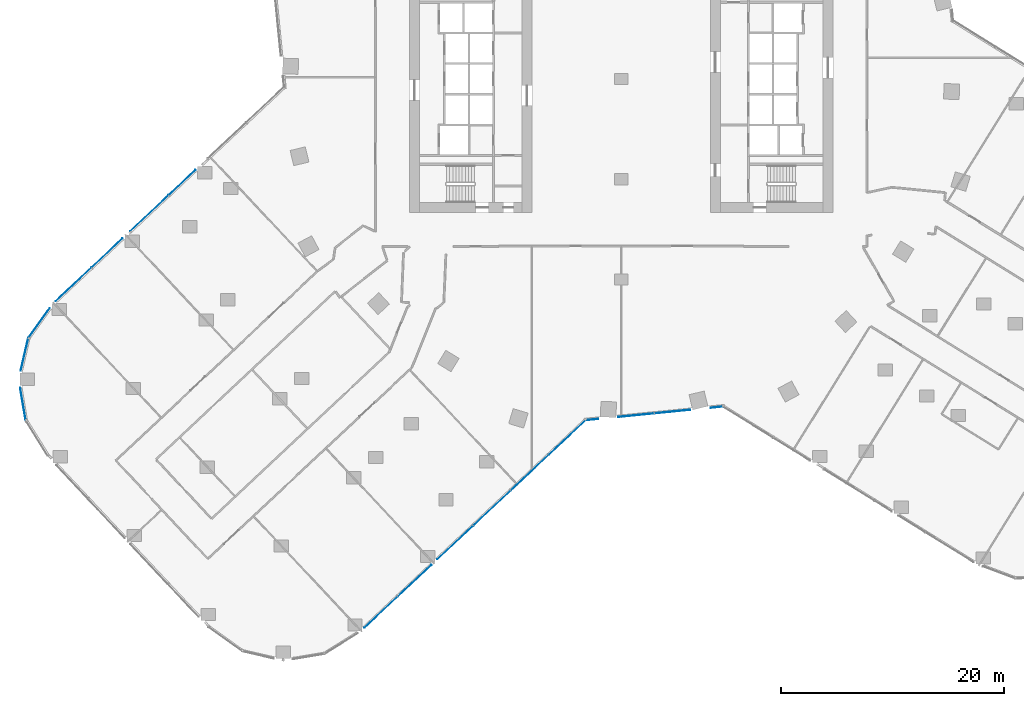
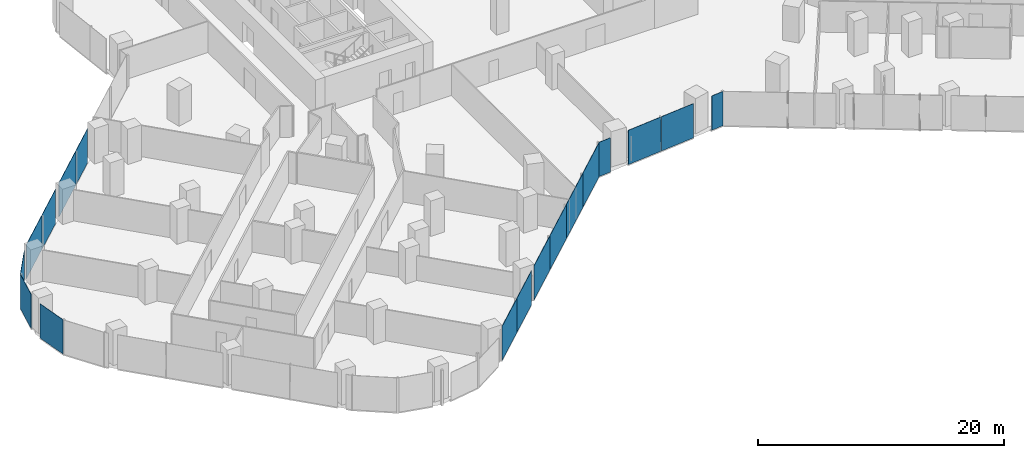
# One storey, part 18 of 33: 17 plates, 6 elements without a shape of their own.
"""IFC4 building model written with IfcOpenShell, lengths in metres."""

from ifc_helpers import new_model, si_unit, direction, frame, origin, origin_2d, place, context, subcontext, project, spatial, rectangle, extrude, material, layer, layer_set, type_object, element, aggregate, save


model = new_model("IFC4")

# Units and contexts
model_context = context("Model", 3, precision=1e-05, world=origin(), true_north=direction((0.0, 1.0)))
body_context = subcontext(model_context, "Body", "Model", "MODEL_VIEW")
ifc_project = project(units=[si_unit("LENGTHUNIT", "METRE"), si_unit("AREAUNIT", "SQUARE_METRE"), si_unit("VOLUMEUNIT", "CUBIC_METRE"), si_unit("PLANEANGLEUNIT", "RADIAN"), si_unit("MASSUNIT", "GRAM", prefix="KILO")], contexts=[model_context])

# Site, building, storey
site_placement = place(None, origin())
site = spatial("IfcSite", under=ifc_project, at=site_placement, CompositionType="ELEMENT")
building_placement = place(site_placement, origin())
building = spatial("IfcBuilding", under=site, at=building_placement, Name="Orlundy Tower", CompositionType="ELEMENT")
storey_placement = place(building_placement, frame((0.0, 0.0, 51.300048828125)))
storey = spatial("IfcBuildingStorey", under=building, at=storey_placement, Name="L11", CompositionType="ELEMENT", Elevation=51.300048828125)

# Curtain wall, plates
ifc_material_1 = material(Name="Aluminium bronze anodised", Category="aluminium")
curtain_wall_type = type_object("IfcCurtainWallType", Name="CW1 wall", PredefinedType="NOTDEFINED", material=ifc_material_1)
curtain_wall_1_placement = place(storey_placement, origin())
curtain_wall_1 = element("IfcCurtainWall", 1, at=curtain_wall_1_placement, inside=storey, type_object=curtain_wall_type, Name="CW1 run 00", PredefinedType="NOTDEFINED")
ifc_material_2 = material(Name="Tinted glass", Category="glass")
ifc_layer = layer(ifc_material_2, 0.031982421875)
ifc_layer_set = layer_set([ifc_layer], Name="CW1 glass panel 32")
plate_type = type_object("IfcPlateType", Name="CW1 glass panel 32", PredefinedType="CURTAIN_PANEL", material=ifc_layer_set)
plate_1_placement = place(storey_placement, frame((-49.14013671875, -18.446044921875, -0.300048828125), z_axis=(0.0, 0.0, 1.0), x_axis=(0.729351371178, 0.684139296752, 0.0)))
plate_1 = element("IfcPlate", 2, at=plate_1_placement, type_object=plate_type, Name="CW1 panel", PredefinedType="CURTAIN_PANEL", context=body_context, shape_type="SweptSolid", body=[
    extrude(rectangle(XDim=4.3818359375, YDim=0.031982421875, at=origin_2d()), origin(), (0.0, 0.0, 1.0), 3.39990234375),
])
plate_2_placement = place(storey_placement, frame((-46.118408203125, -15.611572265625, -0.300048828125), z_axis=(0.0, 0.0, 1.0), x_axis=(0.729351371178, 0.684139296752, 0.0)))
plate_2 = element("IfcPlate", 3, at=plate_2_placement, type_object=plate_type, Name="CW1 panel", PredefinedType="CURTAIN_PANEL", context=body_context, shape_type="SweptSolid", body=[
    extrude(rectangle(XDim=3.80419921875, YDim=0.031982421875, at=origin_2d()), origin(), (0.0, 0.0, 1.0), 3.39990234375),
])
plate_3_placement = place(storey_placement, frame((-42.3212890625, -12.050048828125, -0.300048828125), z_axis=(0.0, 0.0, 1.0), x_axis=(0.729351371178, 0.684139296752, 0.0)))
plate_3 = element("IfcPlate", 4, at=plate_3_placement, type_object=plate_type, Name="CW1 panel", PredefinedType="CURTAIN_PANEL", context=body_context, shape_type="SweptSolid", body=[
    extrude(rectangle(XDim=4.705322265625, YDim=0.031982421875, at=origin_2d()), origin(), (0.0, 0.0, 1.0), 3.39990234375),
])
plate_4_placement = place(storey_placement, frame((-39.3798828125, -9.291015625, -0.300048828125), z_axis=(0.0, 0.0, 1.0), x_axis=(0.729351371178, 0.684139296752, 0.0)))
plate_4 = element("IfcPlate", 5, at=plate_4_placement, type_object=plate_type, Name="CW1 panel", PredefinedType="CURTAIN_PANEL", context=body_context, shape_type="SweptSolid", body=[
    extrude(rectangle(XDim=3.260498046875, YDim=0.031982421875, at=origin_2d()), origin(), (0.0, 0.0, 1.0), 3.39990234375),
])
aggregate(curtain_wall_1, [plate_1, plate_2, plate_3, plate_4])

curtain_wall_2_placement = place(storey_placement, origin())
curtain_wall_2 = element("IfcCurtainWall", 6, at=curtain_wall_2_placement, inside=storey, type_object=curtain_wall_type, Name="CW1 run 017", PredefinedType="NOTDEFINED")
plate_5_placement = place(storey_placement, frame((8.5810546875, -29.460693359375, -0.300048828125), z_axis=(0.0, 0.0, 1.0), x_axis=(-0.995112236774, -0.098750373279, 0.0)))
plate_5 = element("IfcPlate", 7, at=plate_5_placement, type_object=plate_type, Name="CW1 panel", PredefinedType="CURTAIN_PANEL", context=body_context, shape_type="SweptSolid", body=[
    extrude(rectangle(XDim=1.11474609375, YDim=0.031982421875, at=origin_2d()), origin(), (0.0, 0.0, 1.0), 3.39990234375),
])
plate_6_placement = place(storey_placement, frame((4.61083984375, -29.854736328125, -0.300048828125), z_axis=(0.0, 0.0, 1.0), x_axis=(-0.995112236774, -0.098750373279, 0.0)))
plate_6 = element("IfcPlate", 8, at=plate_6_placement, type_object=plate_type, Name="CW1 panel", PredefinedType="CURTAIN_PANEL", context=body_context, shape_type="SweptSolid", body=[
    extrude(rectangle(XDim=3.23046875, YDim=0.031982421875, at=origin_2d()), origin(), (0.0, 0.0, 1.0), 3.39990234375),
])
plate_7_placement = place(storey_placement, frame((1.34619140625, -30.1787109375, -0.300048828125), z_axis=(0.0, 0.0, 1.0), x_axis=(-0.995112236774, -0.098750373279, 0.0)))
plate_7 = element("IfcPlate", 9, at=plate_7_placement, type_object=plate_type, Name="CW1 panel", PredefinedType="CURTAIN_PANEL", context=body_context, shape_type="SweptSolid", body=[
    extrude(rectangle(XDim=3.23095703125, YDim=0.031982421875, at=origin_2d()), origin(), (0.0, 0.0, 1.0), 3.39990234375),
])
plate_8_placement = place(storey_placement, frame((-2.6240234375, -30.57275390625, -0.300048828125), z_axis=(0.0, 0.0, 1.0), x_axis=(-0.995112236774, -0.098750373279, 0.0)))
plate_8 = element("IfcPlate", 10, at=plate_8_placement, type_object=plate_type, Name="CW1 panel", PredefinedType="CURTAIN_PANEL", context=body_context, shape_type="SweptSolid", body=[
    extrude(rectangle(XDim=1.1142578125, YDim=0.031982421875, at=origin_2d()), origin(), (0.0, 0.0, 1.0), 3.39990234375),
])
aggregate(curtain_wall_2, [plate_5, plate_6, plate_7, plate_8])

curtain_wall_3_placement = place(storey_placement, origin())
curtain_wall_3 = element("IfcCurtainWall", 11, at=curtain_wall_3_placement, inside=storey, type_object=curtain_wall_type, Name="CW1 run 018", PredefinedType="NOTDEFINED")
plate_9_placement = place(storey_placement, frame((-4.837646484375, -32.18408203125, -0.300048828125), z_axis=(0.0, 0.0, 1.0), x_axis=(-0.729365455086, -0.684124281784, 0.0)))
plate_9 = element("IfcPlate", 12, at=plate_9_placement, type_object=plate_type, Name="CW1 panel", PredefinedType="CURTAIN_PANEL", context=body_context, shape_type="SweptSolid", body=[
    extrude(rectangle(XDim=4.550048828125, YDim=0.031982421875, at=origin_2d()), origin(), (0.0, 0.0, 1.0), 3.39990234375),
])
plate_10_placement = place(storey_placement, frame((-8.2041015625, -35.341552734375, -0.300048828125), z_axis=(0.0, 0.0, 1.0), x_axis=(-0.729365455086, -0.684124281784, 0.0)))
plate_10 = element("IfcPlate", 13, at=plate_10_placement, type_object=plate_type, Name="CW1 panel", PredefinedType="CURTAIN_PANEL", context=body_context, shape_type="SweptSolid", body=[
    extrude(rectangle(XDim=4.580810546875, YDim=0.031982421875, at=origin_2d()), origin(), (0.0, 0.0, 1.0), 3.39990234375),
])
plate_11_placement = place(storey_placement, frame((-11.58154296875, -38.509521484375, -0.300048828125), z_axis=(0.0, 0.0, 1.0), x_axis=(-0.729365455086, -0.684124281784, 0.0)))
plate_11 = element("IfcPlate", 14, at=plate_11_placement, type_object=plate_type, Name="CW1 panel", PredefinedType="CURTAIN_PANEL", context=body_context, shape_type="SweptSolid", body=[
    extrude(rectangle(XDim=4.580810546875, YDim=0.031982421875, at=origin_2d()), origin(), (0.0, 0.0, 1.0), 3.39990234375),
])
plate_12_placement = place(storey_placement, frame((-14.8876953125, -41.61083984375, -0.300048828125), z_axis=(0.0, 0.0, 1.0), x_axis=(-0.729365455086, -0.684124281784, 0.0)))
plate_12 = element("IfcPlate", 15, at=plate_12_placement, type_object=plate_type, Name="CW1 panel", PredefinedType="CURTAIN_PANEL", context=body_context, shape_type="SweptSolid", body=[
    extrude(rectangle(XDim=4.38525390625, YDim=0.031982421875, at=origin_2d()), origin(), (0.0, 0.0, 1.0), 3.39990234375),
])
plate_13_placement = place(storey_placement, frame((-18.51318359375, -45.01123046875, -0.300048828125), z_axis=(0.0, 0.0, 1.0), x_axis=(-0.729365455086, -0.684124281784, 0.0)))
plate_13 = element("IfcPlate", 16, at=plate_13_placement, type_object=plate_type, Name="CW1 panel", PredefinedType="CURTAIN_PANEL", context=body_context, shape_type="SweptSolid", body=[
    extrude(rectangle(XDim=4.096435546875, YDim=0.031982421875, at=origin_2d()), origin(), (0.0, 0.0, 1.0), 3.39990234375),
])
plate_14_placement = place(storey_placement, frame((-21.53515625, -47.845947265625, -0.300048828125), z_axis=(0.0, 0.0, 1.0), x_axis=(-0.729365455086, -0.684124281784, 0.0)))
plate_14 = element("IfcPlate", 17, at=plate_14_placement, type_object=plate_type, Name="CW1 panel", PredefinedType="CURTAIN_PANEL", context=body_context, shape_type="SweptSolid", body=[
    extrude(rectangle(XDim=4.090576171875, YDim=0.031982421875, at=origin_2d()), origin(), (0.0, 0.0, 1.0), 3.39990234375),
])
aggregate(curtain_wall_3, [plate_9, plate_10, plate_11, plate_12, plate_13, plate_14])

# Curtain wall, plate
curtain_wall_4_placement = place(storey_placement, origin())
curtain_wall_4 = element("IfcCurtainWall", 18, at=curtain_wall_4_placement, inside=storey, type_object=curtain_wall_type, Name="CW1 run 025", PredefinedType="NOTDEFINED")
plate_15_placement = place(storey_placement, frame((-53.670654296875, -29.17041015625, -0.300048828125), z_axis=(0.0, 0.0, 1.0), x_axis=(-0.163480241914, 0.986546608379, 0.0)))
plate_15 = element("IfcPlate", 19, at=plate_15_placement, type_object=plate_type, Name="CW1 panel", PredefinedType="CURTAIN_PANEL", context=body_context, shape_type="SweptSolid", body=[
    extrude(rectangle(XDim=2.9873046875, YDim=0.031982421875, at=origin_2d()), origin(), (0.0, 0.0, 1.0), 3.39990234375),
])
aggregate(curtain_wall_4, [plate_15])

curtain_wall_5_placement = place(storey_placement, origin())
curtain_wall_5 = element("IfcCurtainWall", 20, at=curtain_wall_5_placement, inside=storey, type_object=curtain_wall_type, Name="CW1 run 026", PredefinedType="NOTDEFINED")
plate_16_placement = place(storey_placement, frame((-53.531982421875, -24.72265625, -0.300048828125), z_axis=(0.0, 0.0, 1.0), x_axis=(0.226317097073, 0.974053680026, 0.0)))
plate_16 = element("IfcPlate", 21, at=plate_16_placement, type_object=plate_type, Name="CW1 panel", PredefinedType="CURTAIN_PANEL", context=body_context, shape_type="SweptSolid", body=[
    extrude(rectangle(XDim=3.02734375, YDim=0.031982421875, at=origin_2d()), origin(), (0.0, 0.0, 1.0), 3.39990234375),
])
aggregate(curtain_wall_5, [plate_16])

curtain_wall_6_placement = place(storey_placement, origin())
curtain_wall_6 = element("IfcCurtainWall", 22, at=curtain_wall_6_placement, inside=storey, type_object=curtain_wall_type, Name="CW1 run 027", PredefinedType="NOTDEFINED")
plate_17_placement = place(storey_placement, frame((-52.230224609375, -21.90771484375, -0.300048828125), z_axis=(0.0, 0.0, 1.0), x_axis=(0.58197810512, 0.813204454711, 0.0)))
plate_17 = element("IfcPlate", 23, at=plate_17_placement, type_object=plate_type, Name="CW1 panel", PredefinedType="CURTAIN_PANEL", context=body_context, shape_type="SweptSolid", body=[
    extrude(rectangle(XDim=3.29638671875, YDim=0.031982421875, at=origin_2d()), origin(), (0.0, 0.0, 1.0), 3.39990234375),
])
aggregate(curtain_wall_6, [plate_17])

save(model, "model.ifc")
